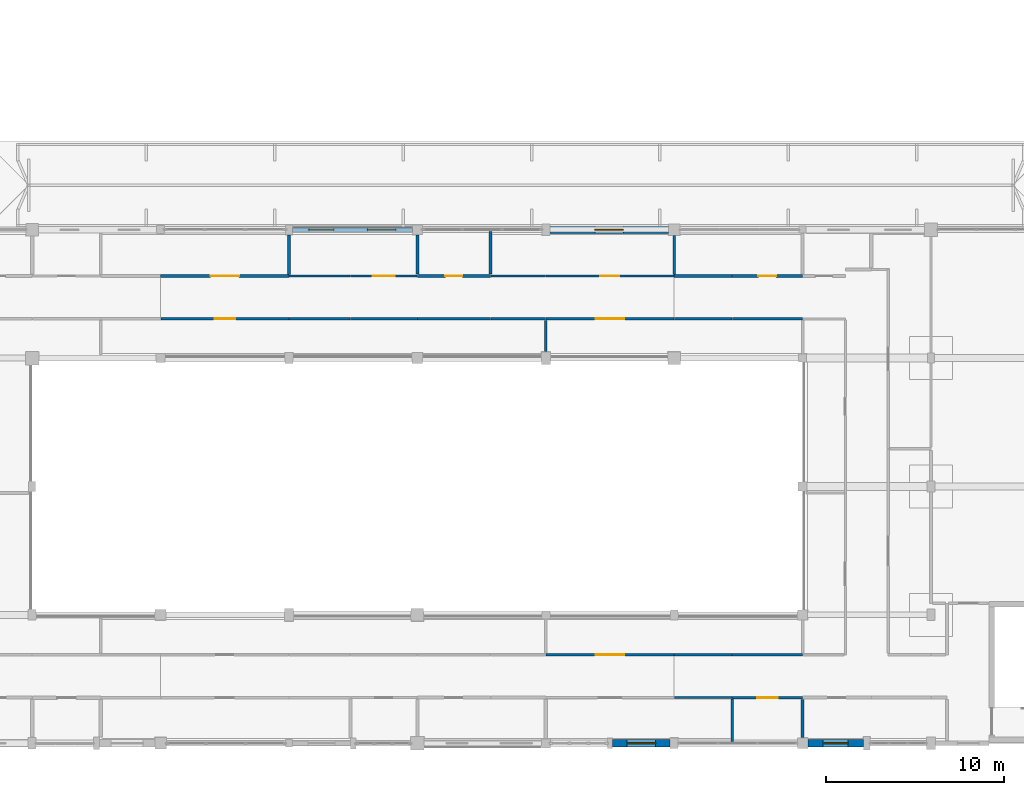
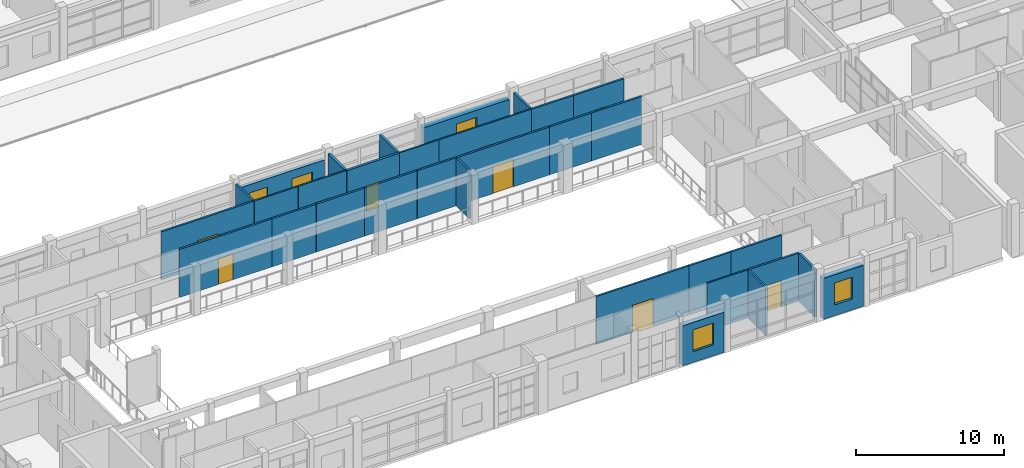
# One storey, part 77 of 110: 32 walls, 9 doors, 5 windows, 14 openings.
"""IFC4 building model written with IfcOpenShell, lengths in metres."""

from ifc_helpers import new_model, si_unit, direction, frame, frame_2d, origin, place, context, subcontext, project, spatial, rectangle, extrude, material, layer, layer_set, type_object, element, fill, save


model = new_model("IFC4")

# Units and contexts
model_context = context("Model", 3, precision=1e-05, world=origin(), true_north=direction((0.0, 1.0)))
body_context = subcontext(model_context, "Body", "Model", "MODEL_VIEW")
ifc_project = project(units=[si_unit("LENGTHUNIT", "METRE"), si_unit("AREAUNIT", "SQUARE_METRE"), si_unit("VOLUMEUNIT", "CUBIC_METRE"), si_unit("PLANEANGLEUNIT", "RADIAN"), si_unit("MASSUNIT", "GRAM", prefix="KILO")], contexts=[model_context])

# Site, building, storey
site_placement = place(None, origin())
site = spatial("IfcSite", under=ifc_project, at=site_placement, CompositionType="ELEMENT")
building_placement = place(site_placement, origin())
building = spatial("IfcBuilding", under=site, at=building_placement, Name="Steenspoor Specialist Clinic", CompositionType="ELEMENT")
storey_placement = place(building_placement, frame((0.0, 0.0, 4.800048828125)))
storey = spatial("IfcBuildingStorey", under=building, at=storey_placement, Name="L01", CompositionType="ELEMENT", Elevation=4.800048828125)

# Wall, opening, window
ifc_material_1 = material(Name="Extruded clay brick masonry", Category="masonry")
ifc_layer_1 = layer(ifc_material_1, 0.409912109375)
ifc_layer_set_1 = layer_set([ifc_layer_1], Name="Extruded clay brick masonry")
wall_type_1 = type_object("IfcWallType", Name="W-BRICK-410", PredefinedType="USERDEFINED", material=ifc_layer_set_1)
wall_1_placement = place(storey_placement, frame((95.375, 13.050048828125, 0.0), z_axis=(0.0, 0.0, 1.0), x_axis=(-1.0, 0.0, 0.0)))
wall_1 = element("IfcWall", 1, at=wall_1_placement, inside=storey, type_object=wall_type_1, Name="Exterior Brick Wall EW-V1-L01-0020", ObjectType="CAVITY VENEER", PredefinedType="USERDEFINED", context=body_context, shape_type="SweptSolid", body=[
    extrude(rectangle(XDim=3.235107421875, YDim=0.409912109375, at=frame_2d((1.61767578125, 0.0))), origin(), (0.0, 0.0, 1.0), 3.300048828125),
])
opening_1_placement = place(wall_1_placement, frame((0.8173828125, 0.0, 0.89990234375)))
opening_1 = element("IfcOpeningElement", 2, at=opening_1_placement, cuts=wall_1, Name="Opening WN-07", PredefinedType="OPENING", context=body_context, shape_type="SweptSolid", body=[
    extrude(rectangle(XDim=1.60009765625, YDim=1.800048828125, at=frame_2d((0.800048828125, 0.89990234375))), frame((0.0, 0.21484375, 0.0), z_axis=(0.0, -1.0, 0.0), x_axis=(1.0, 0.0, 0.0)), (0.0, 0.0, 1.0), 0.429931640625),
])
ifc_material_2 = material(Name="Thermally broken aluminium and low-emissivity glass", Category="aluminium")
window_type_1 = type_object("IfcWindowType", Name="WN-EXT-160X180", PartitioningType="SINGLE_PANEL", PredefinedType="WINDOW", material=ifc_material_2)
window_1_placement = place(opening_1_placement, origin())
window_1 = element("IfcWindow", 3, at=window_1_placement, inside=storey, type_object=window_type_1, Name="Window 0022", OverallHeight=1.800048828125, OverallWidth=1.60009765625, PartitioningType="SINGLE_PANEL", PredefinedType="WINDOW", context=body_context, shape_type="SweptSolid", body=[
    extrude(rectangle(XDim=1.60009765625, YDim=1.800048828125, at=frame_2d((0.800048828125, 0.89990234375))), frame((0.0, 0.030029296875, 0.0), z_axis=(0.0, -1.0, 0.0), x_axis=(1.0, 0.0, 0.0)), (0.0, 0.0, 1.0), 0.06005859375),
])
fill(opening_1, window_1)

ifc_layer_2 = layer(ifc_material_1, 0.43994140625)
ifc_layer_set_2 = layer_set([ifc_layer_2], Name="Extruded clay brick masonry")
wall_type_2 = type_object("IfcWallType", Name="W-BRICK-440", PredefinedType="USERDEFINED", material=ifc_layer_set_2)
wall_2_placement = place(storey_placement, frame((106.2099609375, 13.050048828125, 0.0), z_axis=(0.0, 0.0, 1.0), x_axis=(-1.0, 0.0, 0.0)))
wall_2 = element("IfcWall", 4, at=wall_2_placement, inside=storey, type_object=wall_type_2, Name="Exterior Brick Wall EW-V1-L01-0019", ObjectType="CAVITY VENEER", PredefinedType="USERDEFINED", context=body_context, shape_type="SweptSolid", body=[
    extrude(rectangle(XDim=3.10986328125, YDim=0.43994140625, at=frame_2d((1.554931640625, 0.0))), origin(), (0.0, 0.0, 1.0), 3.3798828125),
])
opening_2_placement = place(wall_2_placement, frame((0.85498046875, 0.0, 0.89990234375)))
opening_2 = element("IfcOpeningElement", 5, at=opening_2_placement, cuts=wall_2, Name="Opening WN-06", PredefinedType="OPENING", context=body_context, shape_type="SweptSolid", body=[
    extrude(rectangle(XDim=1.39990234375, YDim=1.800048828125, at=frame_2d((0.699951171875, 0.89990234375))), frame((0.0, 0.22998046875, 0.0), z_axis=(0.0, -1.0, 0.0), x_axis=(1.0, 0.0, 0.0)), (0.0, 0.0, 1.0), 0.4599609375),
])
window_type_2 = type_object("IfcWindowType", Name="WN-EXT-140X180", PartitioningType="SINGLE_PANEL", PredefinedType="WINDOW", material=ifc_material_2)
window_2_placement = place(opening_2_placement, origin())
window_2 = element("IfcWindow", 6, at=window_2_placement, inside=storey, type_object=window_type_2, Name="Window 0021", OverallHeight=1.800048828125, OverallWidth=1.39990234375, PartitioningType="SINGLE_PANEL", PredefinedType="WINDOW", context=body_context, shape_type="SweptSolid", body=[
    extrude(rectangle(XDim=1.39990234375, YDim=1.800048828125, at=frame_2d((0.699951171875, 0.89990234375))), frame((0.0, 0.030029296875, 0.0), z_axis=(0.0, -1.0, 0.0), x_axis=(1.0, 0.0, 0.0)), (0.0, 0.0, 1.0), 0.06005859375),
])
fill(opening_2, window_2)

wall_3_placement = place(storey_placement, frame((88.625, 41.85009765625, 0.0), z_axis=(0.0, 0.0, 1.0), x_axis=(1.0, 0.0, 0.0)))
wall_3 = element("IfcWall", 7, at=wall_3_placement, inside=storey, type_object=wall_type_2, Name="Exterior Brick Wall EW-V1-L01-0031", ObjectType="CAVITY VENEER", PredefinedType="USERDEFINED", context=body_context, shape_type="SweptSolid", body=[
    extrude(rectangle(XDim=6.64990234375, YDim=0.43994140625, at=frame_2d((3.324951171875, 0.0))), origin(), (0.0, 0.0, 1.0), 3.3798828125),
])
opening_3_placement = place(wall_3_placement, frame((2.52490234375, 0.0, 0.60009765625)))
opening_3 = element("IfcOpeningElement", 8, at=opening_3_placement, cuts=wall_3, Name="Opening WN-16", PredefinedType="OPENING", context=body_context, shape_type="SweptSolid", body=[
    extrude(rectangle(XDim=1.60009765625, YDim=2.199951171875, at=frame_2d((0.800048828125, 1.10009765625))), frame((0.0, 0.22998046875, 0.0), z_axis=(0.0, -1.0, 0.0), x_axis=(1.0, 0.0, 0.0)), (0.0, 0.0, 1.0), 0.4599609375),
])
window_type_3 = type_object("IfcWindowType", Name="WN-EXT-160X220", PartitioningType="SINGLE_PANEL", PredefinedType="WINDOW", material=ifc_material_2)
window_3_placement = place(opening_3_placement, origin())
window_3 = element("IfcWindow", 9, at=window_3_placement, inside=storey, type_object=window_type_3, Name="Window 0039", OverallHeight=2.199951171875, OverallWidth=1.60009765625, PartitioningType="SINGLE_PANEL", PredefinedType="WINDOW", context=body_context, shape_type="SweptSolid", body=[
    extrude(rectangle(XDim=1.60009765625, YDim=2.199951171875, at=frame_2d((0.800048828125, 1.10009765625))), frame((0.0, 0.030029296875, 0.0), z_axis=(0.0, -1.0, 0.0), x_axis=(1.0, 0.0, 0.0)), (0.0, 0.0, 1.0), 0.06005859375),
])
fill(opening_3, window_3)

# Wall, opening, door
ifc_material_3 = material(Name="Gypsum acoustic clinical partition", Category="gypsum")
ifc_layer_3 = layer(ifc_material_3, 0.14990234375)
ifc_layer_set_3 = layer_set([ifc_layer_3], Name="Gypsum acoustic clinical partition")
wall_type_3 = type_object("IfcWallType", Name="W-CLIN-150", PredefinedType="PARTITIONING", material=ifc_layer_set_3)
wall_4_placement = place(storey_placement, frame((88.39990234375, 36.85009765625, 0.0), z_axis=(0.0, 0.0, 1.0), x_axis=(1.0, 0.0, 0.0)))
wall_4 = element("IfcWall", 10, at=wall_4_placement, inside=storey, type_object=wall_type_3, Name="Interior Partition IW-V1-L01-0803", PredefinedType="PARTITIONING", context=body_context, shape_type="SweptSolid", body=[
    extrude(rectangle(XDim=7.2001953125, YDim=0.14990234375, at=frame_2d((3.60009765625, 0.0))), origin(), (0.0, 0.0, 1.0), 3.949951171875),
])
opening_4_placement = place(wall_4_placement, frame((2.800048828125, 0.0, 0.0)))
opening_4 = element("IfcOpeningElement", 11, at=opening_4_placement, cuts=wall_4, Name="Opening D0070", PredefinedType="OPENING", context=body_context, shape_type="SweptSolid", body=[
    extrude(rectangle(XDim=1.60009765625, YDim=2.25, at=frame_2d((0.800048828125, 1.125))), frame((0.0, 0.0849609375, 0.0), z_axis=(0.0, -1.0, 0.0), x_axis=(1.0, 0.0, 0.0)), (0.0, 0.0, 1.0), 0.169921875),
])
ifc_material_4 = material(Name="Hygienic HPL clinical timber door", Category="wood")
door_type_1 = type_object("IfcDoorType", Name="DT-PROC-160X225", OperationType="NOTDEFINED", PredefinedType="DOOR", material=ifc_material_4)
door_1_placement = place(opening_4_placement, origin())
door_1 = element("IfcDoor", 12, at=door_1_placement, inside=storey, type_object=door_type_1, Name="Clinical Door D0070", OperationType="SINGLE_SWING_LEFT", OverallHeight=2.25, OverallWidth=1.60009765625, PredefinedType="DOOR", context=body_context, shape_type="SweptSolid", body=[
    extrude(rectangle(XDim=1.60009765625, YDim=2.25, at=frame_2d((0.800048828125, 1.125))), frame((0.0, 0.02490234375, 0.0), z_axis=(0.0, -1.0, 0.0), x_axis=(1.0, 0.0, 0.0)), (0.0, 0.0, 1.0), 0.050048828125),
])
fill(opening_4, door_1)

# Walls
wall_5_placement = place(storey_placement, frame((95.614990234375, 36.85009765625, 0.0), z_axis=(0.0, 0.0, 1.0), x_axis=(1.0, 0.0, 0.0)))
element("IfcWall", 13, at=wall_5_placement, inside=storey, type_object=wall_type_3, Name="Interior Partition IW-V1-L01-0804", PredefinedType="PARTITIONING", context=body_context, shape_type="SweptSolid", body=[
    extrude(rectangle(XDim=3.235107421875, YDim=0.14990234375, at=frame_2d((1.61767578125, 0.0))), origin(), (0.0, 0.0, 1.0), 3.949951171875),
])
wall_6_placement = place(storey_placement, frame((98.864990234375, 36.85009765625, 0.0), z_axis=(0.0, 0.0, 1.0), x_axis=(1.0, 0.0, 0.0)))
element("IfcWall", 14, at=wall_6_placement, inside=storey, type_object=wall_type_3, Name="Interior Partition IW-V1-L01-0805", PredefinedType="PARTITIONING", context=body_context, shape_type="SweptSolid", body=[
    extrude(rectangle(XDim=3.93505859375, YDim=0.14990234375, at=frame_2d((1.967529296875, 0.0))), origin(), (0.0, 0.0, 1.0), 3.949951171875),
])

# Wall, opening, door
wall_7_placement = place(storey_placement, frame((98.85009765625, 15.610107421875, 0.0), z_axis=(0.0, 0.0, 1.0), x_axis=(1.0, 0.0, 0.0)))
wall_7 = element("IfcWall", 15, at=wall_7_placement, inside=storey, type_object=wall_type_3, Name="Interior Partition IW-V1-L01-0831", PredefinedType="PARTITIONING", context=body_context, shape_type="SweptSolid", body=[
    extrude(rectangle(XDim=3.934814453125, YDim=0.14990234375, at=frame_2d((1.96728515625, 0.0))), origin(), (0.0, 0.0, 1.0), 3.949951171875),
])
opening_5_placement = place(wall_7_placement, frame((1.392578125, 0.0, 0.0)))
opening_5 = element("IfcOpeningElement", 16, at=opening_5_placement, cuts=wall_7, Name="Opening D0057", PredefinedType="OPENING", context=body_context, shape_type="SweptSolid", body=[
    extrude(rectangle(XDim=1.14990234375, YDim=2.14990234375, at=frame_2d((0.574951171875, 1.074951171875))), frame((0.0, 0.0849609375, 0.0), z_axis=(0.0, -1.0, 0.0), x_axis=(1.0, 0.0, 0.0)), (0.0, 0.0, 1.0), 0.169921875),
])
ifc_material_5 = material(Name="Solid-core hardwood clinical door", Category="wood")
door_type_2 = type_object("IfcDoorType", Name="DT-CONS-115X215", OperationType="NOTDEFINED", PredefinedType="DOOR", material=ifc_material_5)
door_2_placement = place(opening_5_placement, origin())
door_2 = element("IfcDoor", 17, at=door_2_placement, inside=storey, type_object=door_type_2, Name="Clinical Door D0057", OperationType="SINGLE_SWING_RIGHT", OverallHeight=2.14990234375, OverallWidth=1.14990234375, PredefinedType="DOOR", context=body_context, shape_type="SweptSolid", body=[
    extrude(rectangle(XDim=1.14990234375, YDim=2.14990234375, at=frame_2d((0.574951171875, 1.074951171875))), frame((0.0, 0.02490234375, 0.0), z_axis=(0.0, -1.0, 0.0), x_axis=(1.0, 0.0, 0.0)), (0.0, 0.0, 1.0), 0.050048828125),
])
fill(opening_5, door_2)

# Walls
wall_8_placement = place(storey_placement, frame((98.85009765625, 18.010009765625, 0.0), z_axis=(0.0, 0.0, 1.0), x_axis=(1.0, 0.0, 0.0)))
element("IfcWall", 18, at=wall_8_placement, inside=storey, type_object=wall_type_3, Name="Interior Partition IW-V1-L01-0840", PredefinedType="PARTITIONING", context=body_context, shape_type="SweptSolid", body=[
    extrude(rectangle(XDim=3.949951171875, YDim=0.14990234375, at=frame_2d((1.97509765625, 0.0))), origin(), (0.0, 0.0, 1.0), 3.949951171875),
])
wall_9_placement = place(storey_placement, frame((95.60009765625, 18.010009765625, 0.0), z_axis=(0.0, 0.0, 1.0), x_axis=(1.0, 0.0, 0.0)))
element("IfcWall", 19, at=wall_9_placement, inside=storey, type_object=wall_type_3, Name="Interior Partition IW-V1-L01-0841", PredefinedType="PARTITIONING", context=body_context, shape_type="SweptSolid", body=[
    extrude(rectangle(XDim=3.23486328125, YDim=0.14990234375, at=frame_2d((1.617431640625, 0.0))), origin(), (0.0, 0.0, 1.0), 3.949951171875),
])

# Wall, opening, door
wall_10_placement = place(storey_placement, frame((88.39990234375, 18.010009765625, 0.0), z_axis=(0.0, 0.0, 1.0), x_axis=(1.0, 0.0, 0.0)))
wall_10 = element("IfcWall", 20, at=wall_10_placement, inside=storey, type_object=wall_type_3, Name="Interior Partition IW-V1-L01-0842", PredefinedType="PARTITIONING", context=body_context, shape_type="SweptSolid", body=[
    extrude(rectangle(XDim=7.18505859375, YDim=0.14990234375, at=frame_2d((3.592529296875, 0.0))), origin(), (0.0, 0.0, 1.0), 3.949951171875),
])
opening_6_placement = place(wall_10_placement, frame((2.79248046875, 0.0, 0.0)))
opening_6 = element("IfcOpeningElement", 21, at=opening_6_placement, cuts=wall_10, Name="Opening D0061", PredefinedType="OPENING", context=body_context, shape_type="SweptSolid", body=[
    extrude(rectangle(XDim=1.60009765625, YDim=2.25, at=frame_2d((0.800048828125, 1.125))), frame((0.0, 0.0849609375, 0.0), z_axis=(0.0, -1.0, 0.0), x_axis=(1.0, 0.0, 0.0)), (0.0, 0.0, 1.0), 0.169921875),
])
door_3_placement = place(opening_6_placement, origin())
door_3 = element("IfcDoor", 22, at=door_3_placement, inside=storey, type_object=door_type_1, Name="Clinical Door D0061", OperationType="SINGLE_SWING_RIGHT", OverallHeight=2.25, OverallWidth=1.60009765625, PredefinedType="DOOR", context=body_context, shape_type="SweptSolid", body=[
    extrude(rectangle(XDim=1.60009765625, YDim=2.25, at=frame_2d((0.800048828125, 1.125))), frame((0.0, 0.02490234375, 0.0), z_axis=(0.0, -1.0, 0.0), x_axis=(1.0, 0.0, 0.0)), (0.0, 0.0, 1.0), 0.050048828125),
])
fill(opening_6, door_3)

# Walls
wall_11_placement = place(storey_placement, frame((77.449951171875, 36.85009765625, 0.0), z_axis=(0.0, 0.0, 1.0), x_axis=(1.0, 0.0, 0.0)))
element("IfcWall", 23, at=wall_11_placement, inside=storey, type_object=wall_type_3, Name="Interior Partition IW-V1-L01-0853", PredefinedType="PARTITIONING", context=body_context, shape_type="SweptSolid", body=[
    extrude(rectangle(XDim=3.75, YDim=0.14990234375, at=frame_2d((1.875, 0.0))), origin(), (0.0, 0.0, 1.0), 3.949951171875),
])
wall_12_placement = place(storey_placement, frame((81.215087890625, 36.85009765625, 0.0), z_axis=(0.0, 0.0, 1.0), x_axis=(1.0, 0.0, 0.0)))
element("IfcWall", 24, at=wall_12_placement, inside=storey, type_object=wall_type_3, Name="Interior Partition IW-V1-L01-0854", PredefinedType="PARTITIONING", context=body_context, shape_type="SweptSolid", body=[
    extrude(rectangle(XDim=4.0849609375, YDim=0.14990234375, at=frame_2d((2.04248046875, 0.0))), origin(), (0.0, 0.0, 1.0), 3.949951171875),
])
wall_13_placement = place(storey_placement, frame((85.31494140625, 36.85009765625, 0.0), z_axis=(0.0, 0.0, 1.0), x_axis=(1.0, 0.0, 0.0)))
element("IfcWall", 25, at=wall_13_placement, inside=storey, type_object=wall_type_3, Name="Interior Partition IW-V1-L01-0855", PredefinedType="PARTITIONING", context=body_context, shape_type="SweptSolid", body=[
    extrude(rectangle(XDim=3.070068359375, YDim=0.14990234375, at=frame_2d((1.53515625, 0.0))), origin(), (0.0, 0.0, 1.0), 3.949951171875),
])

# Wall, opening, door
wall_14_placement = place(storey_placement, frame((66.81494140625, 36.85009765625, 0.0), z_axis=(0.0, 0.0, 1.0), x_axis=(1.0, 0.0, 0.0)))
wall_14 = element("IfcWall", 26, at=wall_14_placement, inside=storey, type_object=wall_type_3, Name="Interior Partition IW-V1-L01-0857", PredefinedType="PARTITIONING", context=body_context, shape_type="SweptSolid", body=[
    extrude(rectangle(XDim=7.18505859375, YDim=0.14990234375, at=frame_2d((3.592529296875, 0.0))), origin(), (0.0, 0.0, 1.0), 3.949951171875),
])
opening_7_placement = place(wall_14_placement, frame((3.017578125, 0.0, 0.0)))
opening_7 = element("IfcOpeningElement", 27, at=opening_7_placement, cuts=wall_14, Name="Opening D0069", PredefinedType="OPENING", context=body_context, shape_type="SweptSolid", body=[
    extrude(rectangle(XDim=1.14990234375, YDim=2.14990234375, at=frame_2d((0.574951171875, 1.074951171875))), frame((0.0, 0.0849609375, 0.0), z_axis=(0.0, -1.0, 0.0), x_axis=(1.0, 0.0, 0.0)), (0.0, 0.0, 1.0), 0.169921875),
])
door_4_placement = place(opening_7_placement, origin())
door_4 = element("IfcDoor", 28, at=door_4_placement, inside=storey, type_object=door_type_2, Name="Clinical Door D0069", OperationType="SINGLE_SWING_RIGHT", OverallHeight=2.14990234375, OverallWidth=1.14990234375, PredefinedType="DOOR", context=body_context, shape_type="SweptSolid", body=[
    extrude(rectangle(XDim=1.14990234375, YDim=2.14990234375, at=frame_2d((0.574951171875, 1.074951171875))), frame((0.0, 0.02490234375, 0.0), z_axis=(0.0, -1.0, 0.0), x_axis=(1.0, 0.0, 0.0)), (0.0, 0.0, 1.0), 0.050048828125),
])
fill(opening_7, door_4)

# Wall
wall_15_placement = place(storey_placement, frame((74.014892578125, 36.85009765625, 0.0), z_axis=(0.0, 0.0, 1.0), x_axis=(1.0, 0.0, 0.0)))
element("IfcWall", 29, at=wall_15_placement, inside=storey, type_object=wall_type_3, Name="Interior Partition IW-V1-L01-0858", PredefinedType="PARTITIONING", context=body_context, shape_type="SweptSolid", body=[
    extrude(rectangle(XDim=3.420166015625, YDim=0.14990234375, at=frame_2d((1.7099609375, 0.0))), origin(), (0.0, 0.0, 1.0), 3.949951171875),
])

# Wall, opening, door
wall_16_placement = place(storey_placement, frame((66.800048828125, 39.25, 0.0), z_axis=(0.0, 0.0, 1.0), x_axis=(1.0, 0.0, 0.0)))
wall_16 = element("IfcWall", 30, at=wall_16_placement, inside=storey, type_object=wall_type_3, Name="Interior Partition IW-V1-L01-0859", PredefinedType="PARTITIONING", context=body_context, shape_type="SweptSolid", body=[
    extrude(rectangle(XDim=7.199951171875, YDim=0.14990234375, at=frame_2d((3.60009765625, 0.0))), origin(), (0.0, 0.0, 1.0), 3.949951171875),
])
opening_8_placement = place(wall_16_placement, frame((2.800048828125, 0.0, 0.0)))
opening_8 = element("IfcOpeningElement", 31, at=opening_8_placement, cuts=wall_16, Name="Opening D0073", PredefinedType="OPENING", context=body_context, shape_type="SweptSolid", body=[
    extrude(rectangle(XDim=1.60009765625, YDim=2.25, at=frame_2d((0.800048828125, 1.125))), frame((0.0, 0.0849609375, 0.0), z_axis=(0.0, -1.0, 0.0), x_axis=(1.0, 0.0, 0.0)), (0.0, 0.0, 1.0), 0.169921875),
])
door_5_placement = place(opening_8_placement, origin())
door_5 = element("IfcDoor", 32, at=door_5_placement, inside=storey, type_object=door_type_1, Name="Clinical Door D0073", OperationType="SINGLE_SWING_RIGHT", OverallHeight=2.25, OverallWidth=1.60009765625, PredefinedType="DOOR", context=body_context, shape_type="SweptSolid", body=[
    extrude(rectangle(XDim=1.60009765625, YDim=2.25, at=frame_2d((0.800048828125, 1.125))), frame((0.0, 0.02490234375, 0.0), z_axis=(0.0, -1.0, 0.0), x_axis=(1.0, 0.0, 0.0)), (0.0, 0.0, 1.0), 0.050048828125),
])
fill(opening_8, door_5)

wall_17_placement = place(storey_placement, frame((98.85009765625, 39.25, 0.0), z_axis=(0.0, 0.0, 1.0), x_axis=(1.0, 0.0, 0.0)))
wall_17 = element("IfcWall", 33, at=wall_17_placement, inside=storey, type_object=wall_type_3, Name="Interior Partition IW-V1-L01-0861", PredefinedType="PARTITIONING", context=body_context, shape_type="SweptSolid", body=[
    extrude(rectangle(XDim=3.934814453125, YDim=0.14990234375, at=frame_2d((1.96728515625, 0.0))), origin(), (0.0, 0.0, 1.0), 3.949951171875),
])
opening_9_placement = place(wall_17_placement, frame((1.467529296875, 0.0, 0.0)))
opening_9 = element("IfcOpeningElement", 34, at=opening_9_placement, cuts=wall_17, Name="Opening D0077", PredefinedType="OPENING", context=body_context, shape_type="SweptSolid", body=[
    extrude(rectangle(XDim=1.0, YDim=2.14990234375, at=frame_2d((0.5, 1.074951171875))), frame((0.0, 0.0849609375, 0.0), z_axis=(0.0, -1.0, 0.0), x_axis=(1.0, 0.0, 0.0)), (0.0, 0.0, 1.0), 0.169921875),
])
ifc_material_6 = material(Name="Moisture-resistant HPL accessible WC door", Category="wood")
door_type_3 = type_object("IfcDoorType", Name="DT-AWC-100X215", OperationType="NOTDEFINED", PredefinedType="DOOR", material=ifc_material_6)
door_6_placement = place(opening_9_placement, origin())
door_6 = element("IfcDoor", 35, at=door_6_placement, inside=storey, type_object=door_type_3, Name="Clinical Door D0077", OperationType="SINGLE_SWING_RIGHT", OverallHeight=2.14990234375, OverallWidth=1.0, PredefinedType="DOOR", context=body_context, shape_type="SweptSolid", body=[
    extrude(rectangle(XDim=1.0, YDim=2.14990234375, at=frame_2d((0.5, 1.074951171875))), frame((0.0, 0.02490234375, 0.0), z_axis=(0.0, -1.0, 0.0), x_axis=(1.0, 0.0, 0.0)), (0.0, 0.0, 1.0), 0.050048828125),
])
fill(opening_9, door_6)

# Walls
wall_18_placement = place(storey_placement, frame((95.60009765625, 39.25, 0.0), z_axis=(0.0, 0.0, 1.0), x_axis=(1.0, 0.0, 0.0)))
element("IfcWall", 36, at=wall_18_placement, inside=storey, type_object=wall_type_3, Name="Interior Partition IW-V1-L01-0862", PredefinedType="PARTITIONING", context=body_context, shape_type="SweptSolid", body=[
    extrude(rectangle(XDim=3.23486328125, YDim=0.14990234375, at=frame_2d((1.617431640625, 0.0))), origin(), (0.0, 0.0, 1.0), 3.949951171875),
])
wall_19_placement = place(storey_placement, frame((88.39990234375, 35.014892578125, 0.0), z_axis=(0.0, 0.0, 1.0), x_axis=(0.0, 1.0, 0.0)))
element("IfcWall", 37, at=wall_19_placement, inside=storey, type_object=wall_type_3, Name="Interior Partition IW-V1-L01-1139", PredefinedType="PARTITIONING", context=body_context, shape_type="SweptSolid", body=[
    extrude(rectangle(XDim=1.7451171875, YDim=0.14990234375, at=frame_2d((0.87255859375, 0.0))), origin(), (0.0, 0.0, 1.0), 3.949951171875),
])
wall_20_placement = place(storey_placement, frame((98.85009765625, 13.155029296875, 0.0), z_axis=(0.0, 0.0, 1.0), x_axis=(0.0, 1.0, 0.0)))
element("IfcWall", 38, at=wall_20_placement, inside=storey, type_object=wall_type_3, Name="Interior Partition IW-V1-L01-1151", PredefinedType="PARTITIONING", context=body_context, shape_type="SweptSolid", body=[
    extrude(rectangle(XDim=2.364990234375, YDim=0.14990234375, at=frame_2d((1.1826171875, 0.0))), origin(), (0.0, 0.0, 1.0), 3.949951171875),
])
wall_21_placement = place(storey_placement, frame((74.0, 39.340087890625, 0.0), z_axis=(0.0, 0.0, 1.0), x_axis=(0.0, 1.0, 0.0)))
element("IfcWall", 39, at=wall_21_placement, inside=storey, type_object=wall_type_3, Name="Interior Partition IW-V1-L01-1165", PredefinedType="PARTITIONING", context=body_context, shape_type="SweptSolid", body=[
    extrude(rectangle(XDim=2.219970703125, YDim=0.14990234375, at=frame_2d((1.10986328125, 0.0))), origin(), (0.0, 0.0, 1.0), 3.949951171875),
])
wall_22_placement = place(storey_placement, frame((95.60009765625, 39.340087890625, 0.0), z_axis=(0.0, 0.0, 1.0), x_axis=(0.0, 1.0, 0.0)))
element("IfcWall", 40, at=wall_22_placement, inside=storey, type_object=wall_type_3, Name="Interior Partition IW-V1-L01-1166", PredefinedType="PARTITIONING", context=body_context, shape_type="SweptSolid", body=[
    extrude(rectangle(XDim=2.169921875, YDim=0.14990234375, at=frame_2d((1.0849609375, 0.0))), origin(), (0.0, 0.0, 1.0), 3.949951171875),
])
ifc_material_7 = material(Name="Gypsum studio partition board", Category="gypsum")
ifc_layer_4 = layer(ifc_material_7, 0.1201171875)
ifc_layer_set_4 = layer_set([ifc_layer_4], Name="Gypsum studio partition board")
wall_type_4 = type_object("IfcWallType", Name="W-PART-120", PredefinedType="PARTITIONING", material=ifc_layer_set_4)
wall_23_placement = place(storey_placement, frame((95.614990234375, 15.610107421875, 0.0), z_axis=(0.0, 0.0, 1.0), x_axis=(1.0, 0.0, 0.0)))
element("IfcWall", 41, at=wall_23_placement, inside=storey, type_object=wall_type_4, Name="Interior Partition IW-V1-L01-0938", PredefinedType="PARTITIONING", context=body_context, shape_type="SweptSolid", body=[
    extrude(rectangle(XDim=3.219970703125, YDim=0.1201171875, at=frame_2d((1.60986328125, 0.0))), origin(), (0.0, 0.0, 1.0), 3.949951171875),
])

# Wall, opening, door
wall_24_placement = place(storey_placement, frame((77.449951171875, 39.25, 0.0), z_axis=(0.0, 0.0, 1.0), x_axis=(1.0, 0.0, 0.0)))
wall_24 = element("IfcWall", 42, at=wall_24_placement, inside=storey, type_object=wall_type_4, Name="Interior Partition IW-V1-L01-0953", PredefinedType="PARTITIONING", context=body_context, shape_type="SweptSolid", body=[
    extrude(rectangle(XDim=3.735107421875, YDim=0.1201171875, at=frame_2d((1.86767578125, 0.0))), origin(), (0.0, 0.0, 1.0), 3.949951171875),
])
opening_10_placement = place(wall_24_placement, frame((1.242431640625, 0.0, 0.0)))
opening_10 = element("IfcOpeningElement", 43, at=opening_10_placement, cuts=wall_24, Name="Opening D0074", PredefinedType="OPENING", context=body_context, shape_type="SweptSolid", body=[
    extrude(rectangle(XDim=1.25, YDim=2.14990234375, at=frame_2d((0.625, 1.074951171875))), frame((0.0, 0.070068359375, 0.0), z_axis=(0.0, -1.0, 0.0), x_axis=(1.0, 0.0, 0.0)), (0.0, 0.0, 1.0), 0.14013671875),
])
door_type_4 = type_object("IfcDoorType", Name="DT-EXAM-125X215", OperationType="NOTDEFINED", PredefinedType="DOOR", material=ifc_material_4)
door_7_placement = place(opening_10_placement, origin())
door_7 = element("IfcDoor", 44, at=door_7_placement, inside=storey, type_object=door_type_4, Name="Clinical Door D0074", OperationType="SINGLE_SWING_LEFT", OverallHeight=2.14990234375, OverallWidth=1.25, PredefinedType="DOOR", context=body_context, shape_type="SweptSolid", body=[
    extrude(rectangle(XDim=1.25, YDim=2.14990234375, at=frame_2d((0.625, 1.074951171875))), frame((0.0, 0.02490234375, 0.0), z_axis=(0.0, -1.0, 0.0), x_axis=(1.0, 0.0, 0.0)), (0.0, 0.0, 1.0), 0.050048828125),
])
fill(opening_10, door_7)

# Wall
wall_25_placement = place(storey_placement, frame((74.014892578125, 39.25, 0.0), z_axis=(0.0, 0.0, 1.0), x_axis=(1.0, 0.0, 0.0)))
element("IfcWall", 45, at=wall_25_placement, inside=storey, type_object=wall_type_4, Name="Interior Partition IW-V1-L01-0954", PredefinedType="PARTITIONING", context=body_context, shape_type="SweptSolid", body=[
    extrude(rectangle(XDim=3.420166015625, YDim=0.1201171875, at=frame_2d((1.7099609375, 0.0))), origin(), (0.0, 0.0, 1.0), 3.949951171875),
])

# Wall, opening, door
wall_26_placement = place(storey_placement, frame((88.39990234375, 39.25, 0.0), z_axis=(0.0, 0.0, 1.0), x_axis=(1.0, 0.0, 0.0)))
wall_26 = element("IfcWall", 46, at=wall_26_placement, inside=storey, type_object=wall_type_4, Name="Interior Partition IW-V1-L01-0955", PredefinedType="PARTITIONING", context=body_context, shape_type="SweptSolid", body=[
    extrude(rectangle(XDim=7.18505859375, YDim=0.1201171875, at=frame_2d((3.592529296875, 0.0))), origin(), (0.0, 0.0, 1.0), 3.949951171875),
])
opening_11_placement = place(wall_26_placement, frame((3.0673828125, 0.0, 0.0)))
opening_11 = element("IfcOpeningElement", 47, at=opening_11_placement, cuts=wall_26, Name="Opening D0076", PredefinedType="OPENING", context=body_context, shape_type="SweptSolid", body=[
    extrude(rectangle(XDim=1.050048828125, YDim=2.14990234375, at=frame_2d((0.52490234375, 1.074951171875))), frame((0.0, 0.070068359375, 0.0), z_axis=(0.0, -1.0, 0.0), x_axis=(1.0, 0.0, 0.0)), (0.0, 0.0, 1.0), 0.14013671875),
])
ifc_material_8 = material(Name="Solid-core hardwood office door", Category="wood")
door_type_5 = type_object("IfcDoorType", Name="DT-OFF-105X215", OperationType="NOTDEFINED", PredefinedType="DOOR", material=ifc_material_8)
door_8_placement = place(opening_11_placement, origin())
door_8 = element("IfcDoor", 48, at=door_8_placement, inside=storey, type_object=door_type_5, Name="Clinical Door D0076", OperationType="SINGLE_SWING_LEFT", OverallHeight=2.14990234375, OverallWidth=1.050048828125, PredefinedType="DOOR", context=body_context, shape_type="SweptSolid", body=[
    extrude(rectangle(XDim=1.050048828125, YDim=2.14990234375, at=frame_2d((0.52490234375, 1.074951171875))), frame((0.0, 0.02490234375, 0.0), z_axis=(0.0, -1.0, 0.0), x_axis=(1.0, 0.0, 0.0)), (0.0, 0.0, 1.0), 0.050048828125),
])
fill(opening_11, door_8)

# Wall
wall_27_placement = place(storey_placement, frame((85.31494140625, 39.25, 0.0), z_axis=(0.0, 0.0, 1.0), x_axis=(1.0, 0.0, 0.0)))
element("IfcWall", 49, at=wall_27_placement, inside=storey, type_object=wall_type_4, Name="Interior Partition IW-V1-L01-0956", PredefinedType="PARTITIONING", context=body_context, shape_type="SweptSolid", body=[
    extrude(rectangle(XDim=3.070068359375, YDim=0.1201171875, at=frame_2d((1.53515625, 0.0))), origin(), (0.0, 0.0, 1.0), 3.949951171875),
])

# Wall, opening, door
ifc_material_9 = material(Name="Moisture-resistant gypsum plumbing wall", Category="gypsum")
ifc_layer_5 = layer(ifc_material_9, 0.179931640625)
ifc_layer_set_5 = layer_set([ifc_layer_5], Name="Moisture-resistant gypsum plumbing wall")
wall_type_5 = type_object("IfcWallType", Name="W-PLUMB-180", PredefinedType="PLUMBINGWALL", material=ifc_layer_set_5)
wall_28_placement = place(storey_placement, frame((81.199951171875, 39.25, 0.0), z_axis=(0.0, 0.0, 1.0), x_axis=(1.0, 0.0, 0.0)))
wall_28 = element("IfcWall", 50, at=wall_28_placement, inside=storey, type_object=wall_type_5, Name="Interior Partition IW-V1-L01-0747", PredefinedType="PLUMBINGWALL", context=body_context, shape_type="SweptSolid", body=[
    extrude(rectangle(XDim=4.10009765625, YDim=0.179931640625, at=frame_2d((2.050048828125, 0.0))), origin(), (0.0, 0.0, 1.0), 3.949951171875),
])
opening_12_placement = place(wall_28_placement, frame((1.574951171875, 0.0, 0.0)))
opening_12 = element("IfcOpeningElement", 51, at=opening_12_placement, cuts=wall_28, Name="Opening D0075", PredefinedType="OPENING", context=body_context, shape_type="SweptSolid", body=[
    extrude(rectangle(XDim=0.949951171875, YDim=2.10009765625, at=frame_2d((0.47509765625, 1.050048828125))), frame((0.0, 0.10009765625, 0.0), z_axis=(0.0, -1.0, 0.0), x_axis=(1.0, 0.0, 0.0)), (0.0, 0.0, 1.0), 0.199951171875),
])
ifc_material_10 = material(Name="Moisture-resistant HPL sanitary door", Category="wood")
door_type_6 = type_object("IfcDoorType", Name="DT-WC-095X210", OperationType="NOTDEFINED", PredefinedType="DOOR", material=ifc_material_10)
door_9_placement = place(opening_12_placement, origin())
door_9 = element("IfcDoor", 52, at=door_9_placement, inside=storey, type_object=door_type_6, Name="Clinical Door D0075", OperationType="SINGLE_SWING_RIGHT", OverallHeight=2.10009765625, OverallWidth=0.949951171875, PredefinedType="DOOR", context=body_context, shape_type="SweptSolid", body=[
    extrude(rectangle(XDim=0.949951171875, YDim=2.10009765625, at=frame_2d((0.47509765625, 1.050048828125))), frame((0.0, 0.02490234375, 0.0), z_axis=(0.0, -1.0, 0.0), x_axis=(1.0, 0.0, 0.0)), (0.0, 0.0, 1.0), 0.050048828125),
])
fill(opening_12, door_9)

# Walls
wall_29_placement = place(storey_placement, frame((102.800048828125, 13.364990234375, 0.0), z_axis=(0.0, 0.0, 1.0), x_axis=(0.0, 1.0, 0.0)))
element("IfcWall", 53, at=wall_29_placement, inside=storey, type_object=wall_type_5, Name="Interior Partition IW-V1-L01-1074", PredefinedType="PLUMBINGWALL", context=body_context, shape_type="SweptSolid", body=[
    extrude(rectangle(XDim=2.139892578125, YDim=0.179931640625, at=frame_2d((1.06982421875, 0.0))), origin(), (0.0, 0.0, 1.0), 3.949951171875),
])
wall_30_placement = place(storey_placement, frame((81.199951171875, 39.35498046875, 0.0), z_axis=(0.0, 0.0, 1.0), x_axis=(0.0, 1.0, 0.0)))
element("IfcWall", 54, at=wall_30_placement, inside=storey, type_object=wall_type_5, Name="Interior Partition IW-V1-L01-1078", PredefinedType="PLUMBINGWALL", context=body_context, shape_type="SweptSolid", body=[
    extrude(rectangle(XDim=2.205078125, YDim=0.179931640625, at=frame_2d((1.1025390625, 0.0))), origin(), (0.0, 0.0, 1.0), 3.949951171875),
])
wall_31_placement = place(storey_placement, frame((85.300048828125, 39.35498046875, 0.0), z_axis=(0.0, 0.0, 1.0), x_axis=(0.0, 1.0, 0.0)))
element("IfcWall", 55, at=wall_31_placement, inside=storey, type_object=wall_type_5, Name="Interior Partition IW-V1-L01-1079", PredefinedType="PLUMBINGWALL", context=body_context, shape_type="SweptSolid", body=[
    extrude(rectangle(XDim=2.39013671875, YDim=0.179931640625, at=frame_2d((1.195068359375, 0.0))), origin(), (0.0, 0.0, 1.0), 3.949951171875),
])

# Wall, openings, windows
ifc_layer_6 = layer(ifc_material_1, 0.260009765625)
ifc_layer_set_6 = layer_set([ifc_layer_6], Name="Extruded clay brick masonry")
wall_type_6 = type_object("IfcWallType", Name="W-SCREEN-260", PredefinedType="SOLIDWALL", material=ifc_layer_set_6)
wall_32_placement = place(storey_placement, frame((74.199951171875, 41.85009765625, 0.0), z_axis=(0.0, 0.0, 1.0), x_axis=(1.0, 0.0, 0.0)))
wall_32 = element("IfcWall", 56, at=wall_32_placement, inside=storey, type_object=wall_type_6, Name="Exterior Brick Wall EW-V1-L01-0030", PredefinedType="SOLIDWALL", context=body_context, shape_type="SweptSolid", body=[
    extrude(rectangle(XDim=6.72509765625, YDim=0.260009765625, at=frame_2d((3.362548828125, 0.0))), origin(), (0.0, 0.0, 1.0), 3.3798828125),
])
opening_13_placement = place(wall_32_placement, frame((0.9150390625, 0.0, 0.89990234375)))
opening_13 = element("IfcOpeningElement", 57, at=opening_13_placement, cuts=wall_32, Name="Opening WN-06", PredefinedType="OPENING", context=body_context, shape_type="SweptSolid", body=[
    extrude(rectangle(XDim=1.39990234375, YDim=1.800048828125, at=frame_2d((0.699951171875, 0.89990234375))), frame((0.0, 0.14013671875, 0.0), z_axis=(0.0, -1.0, 0.0), x_axis=(1.0, 0.0, 0.0)), (0.0, 0.0, 1.0), 0.280029296875),
])
opening_14_placement = place(wall_32_placement, frame((4.197509765625, 0.0, 0.89990234375)))
opening_14 = element("IfcOpeningElement", 58, at=opening_14_placement, cuts=wall_32, Name="Opening WN-07", PredefinedType="OPENING", context=body_context, shape_type="SweptSolid", body=[
    extrude(rectangle(XDim=1.60009765625, YDim=1.800048828125, at=frame_2d((0.800048828125, 0.89990234375))), frame((0.0, 0.14013671875, 0.0), z_axis=(0.0, -1.0, 0.0), x_axis=(1.0, 0.0, 0.0)), (0.0, 0.0, 1.0), 0.280029296875),
])
window_4_placement = place(opening_13_placement, origin())
window_4 = element("IfcWindow", 59, at=window_4_placement, inside=storey, type_object=window_type_2, Name="Window 0037", OverallHeight=1.800048828125, OverallWidth=1.39990234375, PartitioningType="SINGLE_PANEL", PredefinedType="WINDOW", context=body_context, shape_type="SweptSolid", body=[
    extrude(rectangle(XDim=1.39990234375, YDim=1.800048828125, at=frame_2d((0.699951171875, 0.89990234375))), frame((0.0, 0.030029296875, 0.0), z_axis=(0.0, -1.0, 0.0), x_axis=(1.0, 0.0, 0.0)), (0.0, 0.0, 1.0), 0.06005859375),
])
fill(opening_13, window_4)
window_5_placement = place(opening_14_placement, origin())
window_5 = element("IfcWindow", 60, at=window_5_placement, inside=storey, type_object=window_type_1, Name="Window 0038", OverallHeight=1.800048828125, OverallWidth=1.60009765625, PartitioningType="SINGLE_PANEL", PredefinedType="WINDOW", context=body_context, shape_type="SweptSolid", body=[
    extrude(rectangle(XDim=1.60009765625, YDim=1.800048828125, at=frame_2d((0.800048828125, 0.89990234375))), frame((0.0, 0.030029296875, 0.0), z_axis=(0.0, -1.0, 0.0), x_axis=(1.0, 0.0, 0.0)), (0.0, 0.0, 1.0), 0.06005859375),
])
fill(opening_14, window_5)

save(model, "model.ifc")
